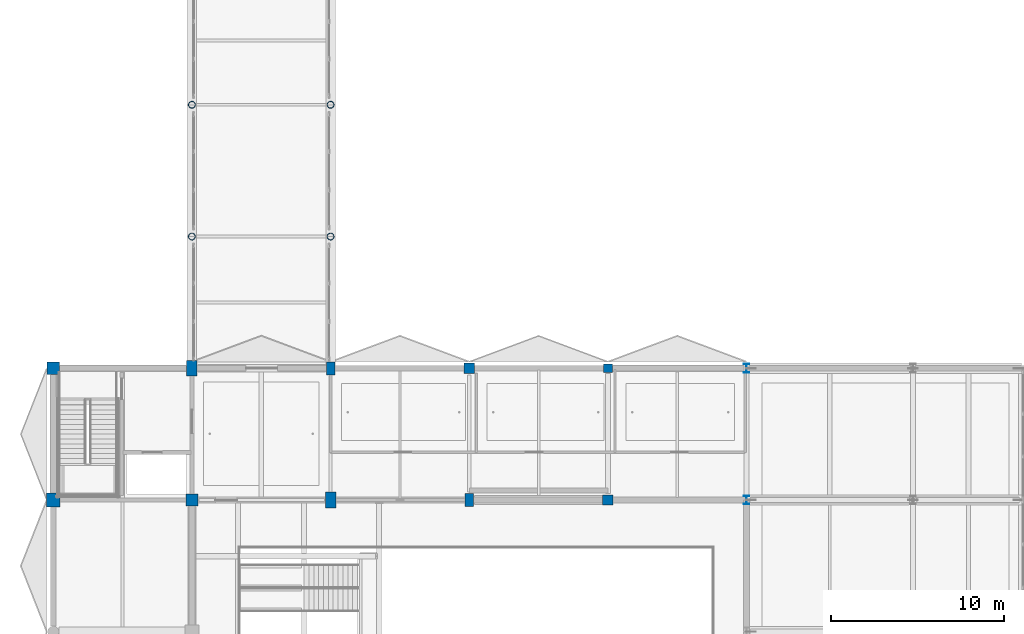
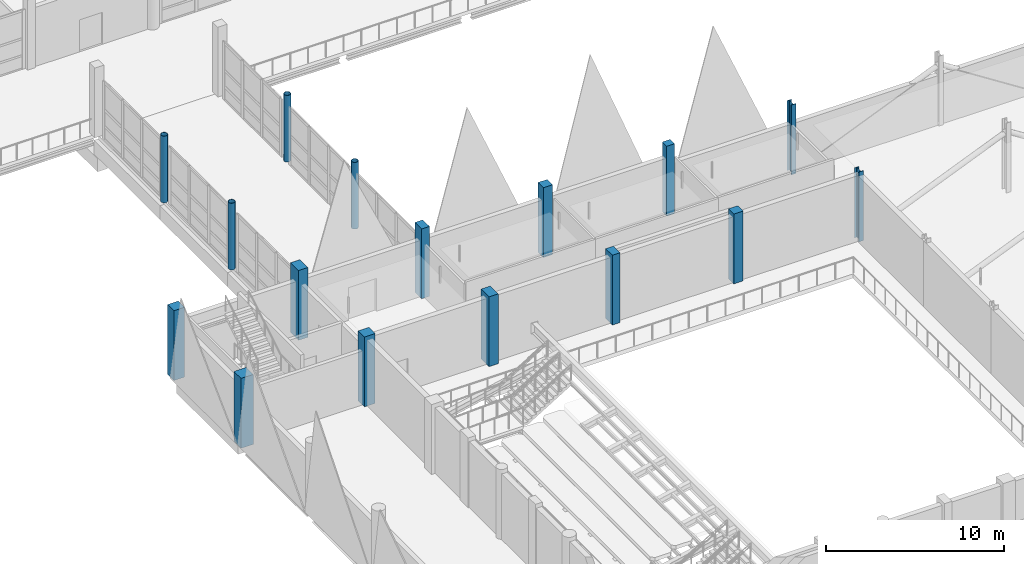
# One storey, part 3 of 141: 16 columns.
"""IFC4 building model written with IfcOpenShell, lengths in metres."""

from ifc_helpers import new_model, si_unit, direction, frame, origin, origin_2d, place, context, subcontext, project, spatial, rectangle, hollow_circle, i_section, extrude, material, material_profile, profile_set, type_object, element, save


model = new_model("IFC4")

# Units and contexts
model_context = context("Model", 3, precision=1e-05, world=origin(), true_north=direction((0.0, 1.0)))
body_context = subcontext(model_context, "Body", "Model", "MODEL_VIEW")
ifc_project = project(units=[si_unit("LENGTHUNIT", "METRE"), si_unit("AREAUNIT", "SQUARE_METRE"), si_unit("VOLUMEUNIT", "CUBIC_METRE"), si_unit("PLANEANGLEUNIT", "RADIAN"), si_unit("MASSUNIT", "GRAM", prefix="KILO")], contexts=[model_context])

# Site, building, storey
site_placement = place(None, origin())
site = spatial("IfcSite", under=ifc_project, at=site_placement, CompositionType="ELEMENT")
building_placement = place(site_placement, origin())
building = spatial("IfcBuilding", under=site, at=building_placement, Name="Khelvaren Railside Concert Hall", CompositionType="ELEMENT")
storey_placement = place(building_placement, frame((0.0, 0.0, 10.199951171875)))
storey = spatial("IfcBuildingStorey", under=building, at=storey_placement, Name="L02", CompositionType="ELEMENT", Elevation=10.199951171875)

# Columns
ifc_material_1 = material(Name="Concrete C45/55", Category="concrete")
ifc_material_profile_1 = material_profile(ifc_material_1, rectangle(XDim=0.60009765625, YDim=0.60009765625, at=origin_2d()), Name="RC 600x600")
ifc_profile_set_1 = profile_set([ifc_material_profile_1], Name="Concrete C45/55")
column_type_1 = type_object("IfcColumnType", Name="COL11", PredefinedType="COLUMN", material=ifc_profile_set_1)
column_1_placement = place(storey_placement, frame((24.0, 45.60009765625, 0.0), z_axis=(0.0, 0.0, 1.0), x_axis=(1.0, 0.0, 0.0)))
element("IfcColumn", 1, at=column_1_placement, inside=storey, type_object=column_type_1, Name="V1 L02 Column (24.0,45.6)", PredefinedType="COLUMN", context=body_context, shape_type="SweptSolid", body=[
    extrude(rectangle(XDim=0.60009765625, YDim=0.60009765625, at=origin_2d()), origin(), (0.0, 0.0, 1.0), 4.800048828125),
])
ifc_material_2 = material(Name="Steel S355", Category="steel")
ifc_material_profile_2 = material_profile(ifc_material_2, i_section(OverallWidth=0.300048828125, OverallDepth=0.5, WebThickness=0.014404296875, FlangeThickness=0.028076171875, FilletRadius=0.027099609375, at=origin_2d()), Name="HEB 500")
ifc_profile_set_2 = profile_set([ifc_material_profile_2], Name="Steel S355")
column_type_2 = type_object("IfcColumnType", Name="COL15", PredefinedType="COLUMN", material=ifc_profile_set_2)
column_2_placement = place(storey_placement, frame((40.0, 45.60009765625, 0.0), z_axis=(0.0, 0.0, 1.0), x_axis=(1.0, 0.0, 0.0)))
element("IfcColumn", 2, at=column_2_placement, inside=storey, type_object=column_type_2, Name="V1 L02 Column (40.0,45.6)", PredefinedType="COLUMN", context=body_context, shape_type="SweptSolid", body=[
    extrude(i_section(OverallWidth=0.300048828125, OverallDepth=0.5, WebThickness=0.014404296875, FlangeThickness=0.028076171875, FilletRadius=0.027099609375, at=origin_2d()), origin(), (0.0, 0.0, 1.0), 4.800048828125),
])
ifc_material_profile_3 = material_profile(ifc_material_1, rectangle(XDim=0.699951171875, YDim=0.699951171875, at=origin_2d()), Name="RC 700x700")
ifc_profile_set_3 = profile_set([ifc_material_profile_3], Name="Concrete C45/55")
column_type_3 = type_object("IfcColumnType", Name="COL16", PredefinedType="COLUMN", material=ifc_profile_set_3)
column_3_placement = place(storey_placement, frame((0.0, 45.60009765625, 0.0), z_axis=(0.0, 0.0, 1.0), x_axis=(1.0, 0.0, 0.0)))
element("IfcColumn", 3, at=column_3_placement, inside=storey, type_object=column_type_3, Name="V1 L02 Column (0.0,45.6)", PredefinedType="COLUMN", context=body_context, shape_type="SweptSolid", body=[
    extrude(rectangle(XDim=0.699951171875, YDim=0.699951171875, at=origin_2d()), origin(), (0.0, 0.0, 1.0), 4.800048828125),
])
ifc_material_profile_4 = material_profile(ifc_material_2, i_section(OverallWidth=0.300048828125, OverallDepth=0.5, WebThickness=0.014404296875, FlangeThickness=0.028076171875, FilletRadius=0.027099609375, at=origin_2d()), Name="HEB 500")
ifc_profile_set_4 = profile_set([ifc_material_profile_4], Name="Steel S355")
column_type_4 = type_object("IfcColumnType", Name="COL25", PredefinedType="COLUMN", material=ifc_profile_set_4)
column_4_placement = place(storey_placement, frame((40.0, 38.0, 0.0), z_axis=(0.0, 0.0, 1.0), x_axis=(1.0, 0.0, 0.0)))
element("IfcColumn", 4, at=column_4_placement, inside=storey, type_object=column_type_4, Name="V1 L02 Column (40.0,38.0)", PredefinedType="COLUMN", context=body_context, shape_type="SweptSolid", body=[
    extrude(i_section(OverallWidth=0.300048828125, OverallDepth=0.5, WebThickness=0.014404296875, FlangeThickness=0.028076171875, FilletRadius=0.027099609375, at=origin_2d()), origin(), (0.0, 0.0, 1.0), 4.800048828125),
])
ifc_material_profile_5 = material_profile(ifc_material_2, hollow_circle(Radius=0.203125, WallThickness=0.02001953125, at=origin_2d()), Name="CHS 406.4x20")
ifc_profile_set_5 = profile_set([ifc_material_profile_5], Name="Steel S355")
column_type_5 = type_object("IfcColumnType", Name="COL27", PredefinedType="COLUMN", material=ifc_profile_set_5)
for number, where, z_axis, x_axis, name in (
    (5, (8.0, 53.199951171875, 0.0), (0.0, 0.0, 1.0), (1.0, 0.0, 0.0), "LB3 L02 Bridge Pier (8,53.2)"),
    (6, (8.0, 60.800048828125, 0.0), (0.0, 0.0, 1.0), (1.0, 0.0, 0.0), "LB3 L02 Bridge Pier (8,60.8)"),
    (7, (16.0, 53.199951171875, 0.0), (0.0, 0.0, 1.0), (1.0, 0.0, 0.0), "LB3 L02 Bridge Pier (16,53.2)"),
    (8, (16.0, 60.800048828125, 0.0), (0.0, 0.0, 1.0), (1.0, 0.0, 0.0), "LB3 L02 Bridge Pier (16,60.8)"),
):
    element("IfcColumn", number, at=place(storey_placement, frame(where, z_axis=z_axis, x_axis=x_axis)), inside=storey, type_object=column_type_5, Name=name, PredefinedType="COLUMN", context=body_context, shape_type="SweptSolid", body=[
        extrude(hollow_circle(Radius=0.203125, WallThickness=0.02001953125, at=origin_2d()), origin(), (0.0, 0.0, 1.0), 4.580078125),
    ])
ifc_material_profile_6 = material_profile(ifc_material_1, rectangle(XDim=0.60009765625, YDim=0.60009765625, at=origin_2d()), Name="RC 600x600")
ifc_profile_set_6 = profile_set([ifc_material_profile_6], Name="Concrete C45/55")
column_type_6 = type_object("IfcColumnType", Name="COL29", PredefinedType="COLUMN", material=ifc_profile_set_6)
column_5_placement = place(storey_placement, frame((32.0, 38.0, 0.0), z_axis=(0.0, 0.0, 1.0), x_axis=(1.0, 0.0, 0.0)))
element("IfcColumn", 9, at=column_5_placement, inside=storey, type_object=column_type_6, Name="V1 L02 Column (32.0,38.0)", PredefinedType="COLUMN", context=body_context, shape_type="SweptSolid", body=[
    extrude(rectangle(XDim=0.60009765625, YDim=0.60009765625, at=origin_2d()), origin(), (0.0, 0.0, 1.0), 4.800048828125),
])
ifc_material_profile_7 = material_profile(ifc_material_1, rectangle(XDim=0.60009765625, YDim=0.89990234375, at=origin_2d()), Name="RC 600x900")
ifc_profile_set_7 = profile_set([ifc_material_profile_7], Name="Concrete C45/55")
column_type_7 = type_object("IfcColumnType", Name="COL33", PredefinedType="COLUMN", material=ifc_profile_set_7)
column_6_placement = place(storey_placement, frame((16.0, 38.0, 0.0), z_axis=(0.0, 0.0, 1.0), x_axis=(1.0, 0.0, 0.0)))
element("IfcColumn", 10, at=column_6_placement, inside=storey, type_object=column_type_7, Name="V1 L02 Column (16.0,38.0)", PredefinedType="COLUMN", context=body_context, shape_type="SweptSolid", body=[
    extrude(rectangle(XDim=0.60009765625, YDim=0.89990234375, at=origin_2d()), origin(), (0.0, 0.0, 1.0), 4.800048828125),
])
ifc_material_profile_8 = material_profile(ifc_material_1, rectangle(XDim=0.5, YDim=0.5, at=origin_2d()), Name="RC 500x500")
ifc_profile_set_8 = profile_set([ifc_material_profile_8], Name="Concrete C45/55")
column_type_8 = type_object("IfcColumnType", Name="COL35", PredefinedType="COLUMN", material=ifc_profile_set_8)
column_7_placement = place(storey_placement, frame((32.0, 45.60009765625, 0.0), z_axis=(0.0, 0.0, 1.0), x_axis=(1.0, 0.0, 0.0)))
element("IfcColumn", 11, at=column_7_placement, inside=storey, type_object=column_type_8, Name="V1 L02 Column (32.0,45.6)", PredefinedType="COLUMN", context=body_context, shape_type="SweptSolid", body=[
    extrude(rectangle(XDim=0.5, YDim=0.5, at=origin_2d()), origin(), (0.0, 0.0, 1.0), 4.800048828125),
])
ifc_material_profile_9 = material_profile(ifc_material_1, rectangle(XDim=0.5, YDim=0.75, at=origin_2d()), Name="RC 500x750")
ifc_profile_set_9 = profile_set([ifc_material_profile_9], Name="Concrete C45/55")
column_type_9 = type_object("IfcColumnType", Name="COL36", PredefinedType="COLUMN", material=ifc_profile_set_9)
column_8_placement = place(storey_placement, frame((24.0, 38.0, 0.0), z_axis=(0.0, 0.0, 1.0), x_axis=(1.0, 0.0, 0.0)))
element("IfcColumn", 12, at=column_8_placement, inside=storey, type_object=column_type_9, Name="V1 L02 Column (24.0,38.0)", PredefinedType="COLUMN", context=body_context, shape_type="SweptSolid", body=[
    extrude(rectangle(XDim=0.5, YDim=0.75, at=origin_2d()), origin(), (0.0, 0.0, 1.0), 4.800048828125),
])
ifc_material_profile_10 = material_profile(ifc_material_1, rectangle(XDim=0.800048828125, YDim=0.800048828125, at=origin_2d()), Name="RC 800x800")
ifc_profile_set_10 = profile_set([ifc_material_profile_10], Name="Concrete C45/55")
column_type_10 = type_object("IfcColumnType", Name="COL38", PredefinedType="COLUMN", material=ifc_profile_set_10)
column_9_placement = place(storey_placement, frame((0.0, 38.0, 0.0), z_axis=(0.0, 0.0, 1.0), x_axis=(1.0, 0.0, 0.0)))
element("IfcColumn", 13, at=column_9_placement, inside=storey, type_object=column_type_10, Name="V1 L02 Column (0.0,38.0)", PredefinedType="COLUMN", context=body_context, shape_type="SweptSolid", body=[
    extrude(rectangle(XDim=0.800048828125, YDim=0.800048828125, at=origin_2d()), origin(), (0.0, 0.0, 1.0), 4.800048828125),
])
ifc_material_profile_11 = material_profile(ifc_material_1, rectangle(XDim=0.699951171875, YDim=0.699951171875, at=origin_2d()), Name="RC 700x700")
ifc_profile_set_11 = profile_set([ifc_material_profile_11], Name="Concrete C45/55")
column_type_11 = type_object("IfcColumnType", Name="COL74", PredefinedType="COLUMN", material=ifc_profile_set_11)
column_10_placement = place(storey_placement, frame((8.0, 38.0, 0.0), z_axis=(0.0, 0.0, 1.0), x_axis=(1.0, 0.0, 0.0)))
element("IfcColumn", 14, at=column_10_placement, inside=storey, type_object=column_type_11, Name="V1 L02 Column (8.0,38.0)", PredefinedType="COLUMN", context=body_context, shape_type="SweptSolid", body=[
    extrude(rectangle(XDim=0.699951171875, YDim=0.699951171875, at=origin_2d()), origin(), (0.0, 0.0, 1.0), 4.800048828125),
])
ifc_material_profile_12 = material_profile(ifc_material_1, rectangle(XDim=0.60009765625, YDim=0.89990234375, at=origin_2d()), Name="RC 600x900")
ifc_profile_set_12 = profile_set([ifc_material_profile_12], Name="Concrete C45/55")
column_type_12 = type_object("IfcColumnType", Name="COL95", PredefinedType="COLUMN", material=ifc_profile_set_12)
column_11_placement = place(storey_placement, frame((8.0, 45.60009765625, 0.0), z_axis=(0.0, 0.0, 1.0), x_axis=(1.0, 0.0, 0.0)))
element("IfcColumn", 15, at=column_11_placement, inside=storey, type_object=column_type_12, Name="V1 L02 Column (8.0,45.6)", PredefinedType="COLUMN", context=body_context, shape_type="SweptSolid", body=[
    extrude(rectangle(XDim=0.60009765625, YDim=0.89990234375, at=origin_2d()), origin(), (0.0, 0.0, 1.0), 4.800048828125),
])
ifc_material_profile_13 = material_profile(ifc_material_1, rectangle(XDim=0.5, YDim=0.75, at=origin_2d()), Name="RC 500x750")
ifc_profile_set_13 = profile_set([ifc_material_profile_13], Name="Concrete C45/55")
column_type_13 = type_object("IfcColumnType", Name="COL97", PredefinedType="COLUMN", material=ifc_profile_set_13)
column_12_placement = place(storey_placement, frame((16.0, 45.60009765625, 0.0), z_axis=(0.0, 0.0, 1.0), x_axis=(1.0, 0.0, 0.0)))
element("IfcColumn", 16, at=column_12_placement, inside=storey, type_object=column_type_13, Name="V1 L02 Column (16.0,45.6)", PredefinedType="COLUMN", context=body_context, shape_type="SweptSolid", body=[
    extrude(rectangle(XDim=0.5, YDim=0.75, at=origin_2d()), origin(), (0.0, 0.0, 1.0), 4.800048828125),
])

save(model, "model.ifc")
